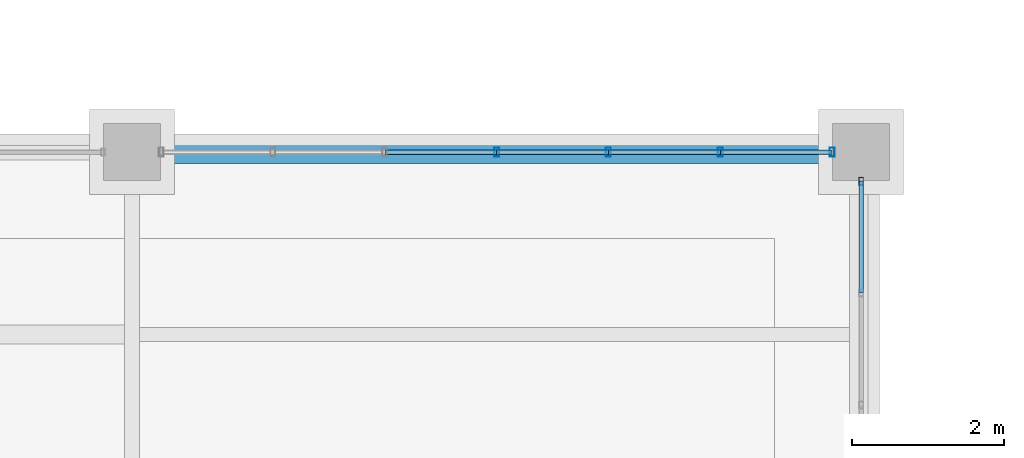
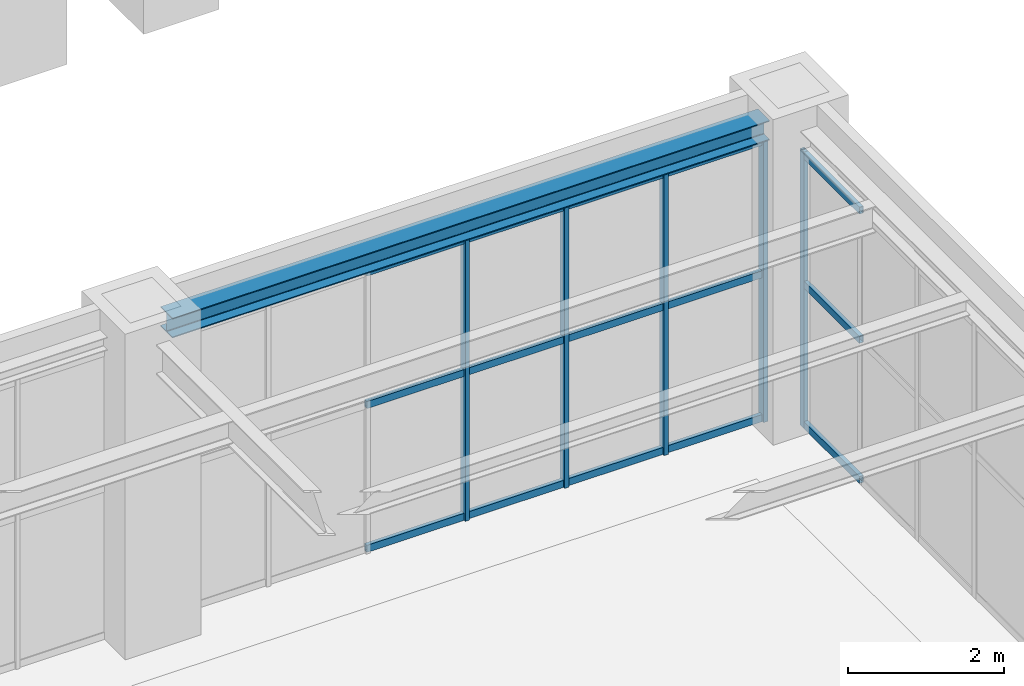
# One storey, part 29 of 174: 20 members, 1 beam, 2 elements without a shape of their own.
"""IFC4 building model written with IfcOpenShell, lengths in metres."""

import ifcopenshell
import ifcopenshell.guid

model = None  # the IFC model being written
_history = None  # IfcOwnerHistory: only IFC2X3 demands one
_inside = {}  # id of a spatial element -> (the spatial element, [elements in it])
_under = {}  # id of a project, library or spatial element -> (it, [spatial elements below it])
_declared = {}  # id of a project -> (the project, [libraries it declares])
_typed = {}  # id of a type object -> (the type object, [elements of that type])
_made_of = {}  # id of a material, layer set ... -> (it, [elements and type objects made of it])


def new_model(schema):
    """Start an empty IFC model of exactly this schema.

    Asked for "IFC4X3", IfcOpenShell would pick the latest addendum, in which some entities
    have other attributes; the version numbers below select the first issue.
    IFC2X3 requires an IfcOwnerHistory on every rooted entity: one is made here for all.
    """
    global model, _history
    if schema == "IFC4X3":
        model = ifcopenshell.file(schema_version=(4, 3, 0, 0))
    else:
        model = ifcopenshell.file(schema=schema)
    _inside.clear()
    _under.clear()
    _declared.clear()
    _typed.clear()
    _made_of.clear()
    _history = None
    if model.schema == "IFC2X3":
        org = make("IfcOrganization", Name="unknown")
        user = make(
            "IfcPersonAndOrganization",
            ThePerson=make("IfcPerson", FamilyName="unknown"),
            TheOrganization=org,
        )
        app = make(
            "IfcApplication",
            ApplicationDeveloper=org,
            Version="unknown",
            ApplicationFullName="unknown",
            ApplicationIdentifier="unknown",
        )
        _history = make(
            "IfcOwnerHistory",
            OwningUser=user,
            OwningApplication=app,
            ChangeAction="ADDED",
            CreationDate=0,
        )
    return model


def make(cls, **values):
    """One entity of the class cls with the attributes given. An attribute that is None is left unset."""
    return model.create_entity(
        cls, **{name: value for name, value in values.items() if value is not None}
    )


def rooted(cls, **values):
    """An entity with a GlobalId (a new one), such as an element, a storey or a relation."""
    return make(cls, GlobalId=ifcopenshell.guid.new(), OwnerHistory=_history, **values)


def si_unit(unit_type, name, prefix=None):
    """IfcSIUnit, for example si_unit("LENGTHUNIT", "METRE", prefix="MILLI")."""
    return make("IfcSIUnit", UnitType=unit_type, Prefix=prefix, Name=name)


def assignment(units):
    """IfcUnitAssignment: the units of a project."""
    return None if units is None else make("IfcUnitAssignment", Units=units)


def point(xyz):
    """IfcCartesianPoint."""
    return None if xyz is None else make("IfcCartesianPoint", Coordinates=xyz)


def direction(xyz):
    """IfcDirection."""
    return None if xyz is None else make("IfcDirection", DirectionRatios=xyz)


def frame(location, z_axis=None, x_axis=None):
    """IfcAxis2Placement3D, a coordinate frame: its origin and axes. An axis left out is left unset."""
    return make(
        "IfcAxis2Placement3D",
        Location=point(location),
        Axis=direction(z_axis),
        RefDirection=direction(x_axis),
    )


def frame_2d(location, x_axis=None):
    """IfcAxis2Placement2D, a coordinate frame in the plane: its origin and x axis."""
    return make(
        "IfcAxis2Placement2D", Location=point(location), RefDirection=direction(x_axis)
    )


def origin():
    """The frame at (0, 0, 0) with its axes left unset."""
    return frame((0.0, 0.0, 0.0))


def origin_2d():
    """The frame at (0, 0) in the plane with its x axis left unset."""
    return frame_2d((0.0, 0.0))


def place(relative_to, where):
    """IfcLocalPlacement: puts the frame where relative to a parent placement (None: the world)."""
    return make(
        "IfcLocalPlacement", PlacementRelTo=relative_to, RelativePlacement=where
    )


def context(
    kind, dimensions, precision=None, world=None, true_north=None, identifier=None
):
    """IfcGeometricRepresentationContext, for example the 3D "Model" context."""
    return make(
        "IfcGeometricRepresentationContext",
        ContextIdentifier=identifier,
        ContextType=kind,
        CoordinateSpaceDimension=dimensions,
        Precision=precision,
        WorldCoordinateSystem=world,
        TrueNorth=true_north,
    )


def subcontext(parent, identifier, kind, view, scale=None):
    """IfcGeometricRepresentationSubContext, for example "Body" below "Model"."""
    return make(
        "IfcGeometricRepresentationSubContext",
        ContextIdentifier=identifier,
        ContextType=kind,
        ParentContext=parent,
        TargetScale=scale,
        TargetView=view,
    )


def project(units=None, contexts=None):
    """IfcProject with its units and contexts."""
    return rooted(
        "IfcProject",
        Name="project",
        RepresentationContexts=contexts,
        UnitsInContext=assignment(units),
    )


def spatial(cls, under=None, at=None, **own):
    """A site, building, storey or space (cls), placed at a placement, below another one or the project."""
    s = rooted(cls, ObjectPlacement=at, **own)
    if under is not None:
        _under.setdefault(under.id(), (under, []))[1].append(s)
    return s


def profile(cls, at=None, kind="AREA", **sizes):
    """A parametric profile (cls). Its sizes go by their IFC names, for example OverallWidth=200.0."""
    return make(cls, ProfileType=kind, Position=at, **sizes)


def hollow_rectangle(**sizes):
    """IfcRectangleHollowProfileDef."""
    return profile("IfcRectangleHollowProfileDef", **sizes)


def i_section(**sizes):
    """IfcIShapeProfileDef."""
    return profile("IfcIShapeProfileDef", **sizes)


def extrude(swept, where, along, depth):
    """IfcExtrudedAreaSolid: the profile swept, set in the frame where, extruded along a direction by depth."""
    return make(
        "IfcExtrudedAreaSolid",
        SweptArea=swept,
        Position=where,
        ExtrudedDirection=direction(along),
        Depth=depth,
    )


def shape(context_of_items, identifier, shape_type, items):
    """IfcShapeRepresentation: the items that make up one representation, for example the "Body"."""
    return make(
        "IfcShapeRepresentation",
        ContextOfItems=context_of_items,
        RepresentationIdentifier=identifier,
        RepresentationType=shape_type,
        Items=items,
    )


def material(Name=None, Category=None):
    """IfcMaterial."""
    return make("IfcMaterial", Name=Name, Category=Category)


def material_profile(
    of_material, cross_section, Name=None, Category=None, Priority=None
):
    """IfcMaterialProfile: a cross section and its material."""
    return make(
        "IfcMaterialProfile",
        Name=Name,
        Material=of_material,
        Profile=cross_section,
        Priority=Priority,
        Category=Category,
    )


def profile_set(profiles, Name=None, composite=None):
    """IfcMaterialProfileSet."""
    return make(
        "IfcMaterialProfileSet",
        Name=Name,
        MaterialProfiles=profiles,
        CompositeProfile=composite,
    )


def made_of(thing, what):
    """Note that an element or type object is made of a material, layer set ...; save() writes the relation."""
    if what is not None:
        _made_of.setdefault(what.id(), (what, []))[1].append(thing)
    return thing


def type_object(cls, material=None, **own):
    """A type object (cls), such as IfcWallType, which elements share."""
    return made_of(rooted(cls, **own), material)


def element(
    cls,
    number,
    at=None,
    inside=None,
    cuts=None,
    type_object=None,
    material=None,
    context=None,
    identifier="Body",
    shape_type=None,
    held_by="IfcProductDefinitionShape",
    body=None,
    shapes=None,
    **own,
):
    """One element of the class cls, such as IfcWall. Its Tag is "e" and its number.

    at: its placement. inside: the storey or other place that contains it. cuts: it is an
    opening in that element (IfcRelVoidsElement). A single representation is given by context,
    identifier, shape_type and body (its items); several are given by shapes. held_by: the class
    of the entity that holds the representations. save() writes the other relations.
    """
    e = rooted(cls, Tag="e%d" % number, ObjectPlacement=at, **own)
    if body is not None:
        shapes = [shape(context, identifier, shape_type, body)]
    if shapes is not None:
        e.Representation = make(held_by, Representations=shapes)
    if inside is not None:
        _inside.setdefault(inside.id(), (inside, []))[1].append(e)
    if cuts is not None:
        rooted(
            "IfcRelVoidsElement", RelatingBuildingElement=cuts, RelatedOpeningElement=e
        )
    if type_object is not None:
        _typed.setdefault(type_object.id(), (type_object, []))[1].append(e)
    return made_of(e, material)


def aggregate(whole, parts):
    """IfcRelAggregates: a whole, such as a stair, and the parts it consists of."""
    return rooted("IfcRelAggregates", RelatingObject=whole, RelatedObjects=parts)


def save(model, path):
    """Write the relations noted so far, then the file.

    IfcRelAggregates (storeys below a building ...), IfcRelContainedInSpatialStructure (elements
    in a storey), IfcRelDefinesByType, IfcRelAssociatesMaterial and IfcRelDeclares: one each for
    every whole, place, type object, material and project.
    """
    for whole, parts in _under.values():
        aggregate(whole, parts)
    for where, things in _inside.values():
        rooted(
            "IfcRelContainedInSpatialStructure",
            RelatedElements=things,
            RelatingStructure=where,
        )
    for kind, things in _typed.values():
        rooted("IfcRelDefinesByType", RelatedObjects=things, RelatingType=kind)
    for what, things in _made_of.values():
        rooted("IfcRelAssociatesMaterial", RelatedObjects=things, RelatingMaterial=what)
    for by, libraries in _declared.values():
        rooted("IfcRelDeclares", RelatingContext=by, RelatedDefinitions=libraries)
    model.write(path)


model = new_model("IFC4")

# Units and contexts
model_context = context("Model", 3, precision=1e-05, world=origin(), true_north=direction((0.0, 1.0)))
body_context = subcontext(model_context, "Body", "Model", "MODEL_VIEW")
ifc_project = project(units=[si_unit("LENGTHUNIT", "METRE"), si_unit("AREAUNIT", "SQUARE_METRE"), si_unit("VOLUMEUNIT", "CUBIC_METRE"), si_unit("PLANEANGLEUNIT", "RADIAN"), si_unit("MASSUNIT", "GRAM", prefix="KILO")], contexts=[model_context])

# Site, building, storey
site_placement = place(None, origin())
site = spatial("IfcSite", under=ifc_project, at=site_placement, CompositionType="ELEMENT")
building_placement = place(site_placement, origin())
building = spatial("IfcBuilding", under=site, at=building_placement, Name="Mavantir Sound Aquarium", CompositionType="ELEMENT")
storey_placement = place(building_placement, frame((0.0, 0.0, 5.39990234375)))
storey = spatial("IfcBuildingStorey", under=building, at=storey_placement, Name="L01", CompositionType="ELEMENT", Elevation=5.39990234375)

# Beam
ifc_material_1 = material(Name="Structural Steel ASTM A992 Gr50", Category="steel")
ifc_material_profile_1 = material_profile(ifc_material_1, i_section(OverallWidth=0.304931640625, OverallDepth=0.30810546875, WebThickness=0.010009765625, FlangeThickness=0.015380859375, FilletRadius=0.014892578125, at=origin_2d()), Name="W310X97")
ifc_profile_set_1 = profile_set([ifc_material_profile_1], Name="Structural Steel ASTM A992 Gr50")
beam_type = type_object("IfcBeamType", Name="BM-W310X97-E", PredefinedType="SPANDREL", material=ifc_profile_set_1)
beam_placement = place(storey_placement, frame((29.175048828125, 28.800048828125, 4.6220703125), z_axis=(1.0, 0.0, 0.0), x_axis=(0.0, 1.0, 0.0)))
element("IfcBeam", 1, at=beam_placement, inside=storey, type_object=beam_type, Name="L01 primary beam SS-31A 1221", PredefinedType="SPANDREL", context=body_context, shape_type="SweptSolid", body=[
    extrude(i_section(OverallWidth=0.304931640625, OverallDepth=0.30810546875, WebThickness=0.010009765625, FlangeThickness=0.015380859375, FilletRadius=0.014892578125, at=origin_2d()), origin(), (0.0, 0.0, 1.0), 8.849853515625),
])

# Curtain wall, member
ifc_material_2 = material(Name="Anodised Marine Aluminium and Low-E Glass", Category="aluminium")
curtain_wall_type_1 = type_object("IfcCurtainWallType", Name="CW-T21", PredefinedType="USERDEFINED", material=ifc_material_2)
curtain_wall_1_placement = place(storey_placement, origin())
curtain_wall_1 = element("IfcCurtainWall", 2, at=curtain_wall_1_placement, inside=storey, type_object=curtain_wall_type_1, Name="L01 unitised curtain wall CW-21 69", ObjectType="UNITISED GLAZING", PredefinedType="USERDEFINED")
ifc_material_3 = material(Name="Anodised Marine Aluminium 6063-T6", Category="aluminium")
ifc_material_profile_2 = material_profile(ifc_material_3, hollow_rectangle(XDim=0.06005859375, YDim=0.10009765625, WallThickness=0.00390625, at=origin_2d()), Name="ALU-MULLION-100X60")
ifc_profile_set_2 = profile_set([ifc_material_profile_2], Name="Anodised Marine Aluminium 6063-T6")
member_type_1 = type_object("IfcMemberType", Name="CW-MUL-100", PredefinedType="MULLION", material=ifc_profile_set_2)
member_1_placement = place(storey_placement, frame((38.39990234375, 28.4169921875, 0.0), z_axis=(0.0, 0.0, 1.0), x_axis=(1.0, 0.0, 0.0)))
member_1 = element("IfcMember", 3, at=member_1_placement, type_object=member_type_1, Name="CW-L01-069 vertical mullion 7", PredefinedType="MULLION", context=body_context, shape_type="SweptSolid", body=[
    extrude(hollow_rectangle(XDim=0.06005859375, YDim=0.10009765625, WallThickness=0.00390625, at=origin_2d()), origin(), (0.0, 0.0, 1.0), 4.3291015625),
])

# Curtain wall, members
curtain_wall_type_2 = type_object("IfcCurtainWallType", Name="CW-T22", PredefinedType="USERDEFINED", material=ifc_material_2)
curtain_wall_2_placement = place(storey_placement, origin())
curtain_wall_2 = element("IfcCurtainWall", 4, at=curtain_wall_2_placement, inside=storey, type_object=curtain_wall_type_2, Name="L01 unitised curtain wall CW-22 70", ObjectType="UNITISED GLAZING", PredefinedType="USERDEFINED")
ifc_material_profile_3 = material_profile(ifc_material_3, hollow_rectangle(XDim=0.06494140625, YDim=0.1201171875, WallThickness=0.00390625, at=origin_2d()), Name="ALU-MULLION-120X65")
ifc_profile_set_3 = profile_set([ifc_material_profile_3], Name="Anodised Marine Aluminium 6063-T6")
member_type_2 = type_object("IfcMemberType", Name="CW-MUL-120", PredefinedType="MULLION", material=ifc_profile_set_3)
member_2_placement = place(storey_placement, frame((38.01708984375, 28.800048828125, 0.0), z_axis=(0.0, 0.0, 1.0), x_axis=(1.0, 0.0, 0.0)))
member_2 = element("IfcMember", 5, at=member_2_placement, type_object=member_type_2, Name="CW-L01-070 vertical mullion 1", PredefinedType="MULLION", context=body_context, shape_type="SweptSolid", body=[
    extrude(hollow_rectangle(XDim=0.06494140625, YDim=0.1201171875, WallThickness=0.00390625, at=origin_2d()), origin(), (0.0, 0.0, 1.0), 4.43798828125),
])
member_3_placement = place(storey_placement, frame((36.544677734375, 28.800048828125, 0.0), z_axis=(0.0, 0.0, 1.0), x_axis=(1.0, 0.0, 0.0)))
member_3 = element("IfcMember", 6, at=member_3_placement, type_object=member_type_2, Name="CW-L01-070 vertical mullion 2", PredefinedType="MULLION", context=body_context, shape_type="SweptSolid", body=[
    extrude(hollow_rectangle(XDim=0.06494140625, YDim=0.1201171875, WallThickness=0.00390625, at=origin_2d()), origin(), (0.0, 0.0, 1.0), 4.43798828125),
])
member_4_placement = place(storey_placement, frame((35.072265625, 28.800048828125, 0.0), z_axis=(0.0, 0.0, 1.0), x_axis=(1.0, 0.0, 0.0)))
member_4 = element("IfcMember", 7, at=member_4_placement, type_object=member_type_2, Name="CW-L01-070 vertical mullion 3", PredefinedType="MULLION", context=body_context, shape_type="SweptSolid", body=[
    extrude(hollow_rectangle(XDim=0.06494140625, YDim=0.1201171875, WallThickness=0.00390625, at=origin_2d()), origin(), (0.0, 0.0, 1.0), 4.43798828125),
])
member_5_placement = place(storey_placement, frame((33.60009765625, 28.800048828125, 0.0), z_axis=(0.0, 0.0, 1.0), x_axis=(1.0, 0.0, 0.0)))
member_5 = element("IfcMember", 8, at=member_5_placement, type_object=member_type_2, Name="CW-L01-070 vertical mullion 4", PredefinedType="MULLION", context=body_context, shape_type="SweptSolid", body=[
    extrude(hollow_rectangle(XDim=0.06494140625, YDim=0.1201171875, WallThickness=0.00390625, at=origin_2d()), origin(), (0.0, 0.0, 1.0), 4.43798828125),
])

# Member
ifc_material_profile_4 = material_profile(ifc_material_3, hollow_rectangle(XDim=0.06005859375, YDim=0.110107421875, WallThickness=0.00390625, at=origin_2d()), Name="ALU-TRANSOM-110X60")
ifc_profile_set_4 = profile_set([ifc_material_profile_4], Name="Anodised Marine Aluminium 6063-T6")
member_type_3 = type_object("IfcMemberType", Name="CW-TRN-110", PredefinedType="USERDEFINED", material=ifc_profile_set_4)
member_6_placement = place(storey_placement, frame((38.39990234375, 26.944580078125, 0.05517578125), z_axis=(0.0, 1.0, 0.0), x_axis=(-1.0, 0.0, 0.0)))
member_6 = element("IfcMember", 9, at=member_6_placement, type_object=member_type_3, Name="CW-L01-069 transom 6.1", ObjectType="TRANSOM", PredefinedType="USERDEFINED", context=body_context, shape_type="SweptSolid", body=[
    extrude(hollow_rectangle(XDim=0.06005859375, YDim=0.110107421875, WallThickness=0.00390625, at=origin_2d()), origin(), (0.0, 0.0, 1.0), 1.472412109375),
])

member_7_placement = place(storey_placement, frame((38.39990234375, 26.944580078125, 2.251220703125), z_axis=(0.0, 1.0, 0.0), x_axis=(-1.0, 0.0, 0.0)))
member_7 = element("IfcMember", 10, at=member_7_placement, type_object=member_type_3, Name="CW-L01-069 transom 6.2", ObjectType="TRANSOM", PredefinedType="USERDEFINED", context=body_context, shape_type="SweptSolid", body=[
    extrude(hollow_rectangle(XDim=0.06005859375, YDim=0.110107421875, WallThickness=0.00390625, at=origin_2d()), origin(), (0.0, 0.0, 1.0), 1.472412109375),
])

member_8_placement = place(storey_placement, frame((38.39990234375, 26.944580078125, 4.274169921875), z_axis=(0.0, 1.0, 0.0), x_axis=(-1.0, 0.0, 0.0)))
member_8 = element("IfcMember", 11, at=member_8_placement, type_object=member_type_3, Name="CW-L01-069 transom 6.3", ObjectType="TRANSOM", PredefinedType="USERDEFINED", context=body_context, shape_type="SweptSolid", body=[
    extrude(hollow_rectangle(XDim=0.06005859375, YDim=0.110107421875, WallThickness=0.00390625, at=origin_2d()), origin(), (0.0, 0.0, 1.0), 1.472412109375),
])

aggregate(curtain_wall_1, [member_1, member_6, member_7, member_8])

member_9_placement = place(storey_placement, frame((38.01708984375, 28.800048828125, 0.05517578125), z_axis=(-1.0, 0.0, 0.0), x_axis=(0.0, -1.0, 0.0)))
member_9 = element("IfcMember", 12, at=member_9_placement, type_object=member_type_3, Name="CW-L01-070 transom 1.1", ObjectType="TRANSOM", PredefinedType="USERDEFINED", context=body_context, shape_type="SweptSolid", body=[
    extrude(hollow_rectangle(XDim=0.06005859375, YDim=0.110107421875, WallThickness=0.00390625, at=origin_2d()), origin(), (0.0, 0.0, 1.0), 1.472412109375),
])

member_10_placement = place(storey_placement, frame((38.01708984375, 28.800048828125, 2.307861328125), z_axis=(-1.0, 0.0, 0.0), x_axis=(0.0, -1.0, 0.0)))
member_10 = element("IfcMember", 13, at=member_10_placement, type_object=member_type_3, Name="CW-L01-070 transom 1.2", ObjectType="TRANSOM", PredefinedType="USERDEFINED", context=body_context, shape_type="SweptSolid", body=[
    extrude(hollow_rectangle(XDim=0.06005859375, YDim=0.110107421875, WallThickness=0.00390625, at=origin_2d()), origin(), (0.0, 0.0, 1.0), 1.472412109375),
])

member_11_placement = place(storey_placement, frame((38.01708984375, 28.800048828125, 4.383056640625), z_axis=(-1.0, 0.0, 0.0), x_axis=(0.0, -1.0, 0.0)))
member_11 = element("IfcMember", 14, at=member_11_placement, type_object=member_type_3, Name="CW-L01-070 transom 1.3", ObjectType="TRANSOM", PredefinedType="USERDEFINED", context=body_context, shape_type="SweptSolid", body=[
    extrude(hollow_rectangle(XDim=0.06005859375, YDim=0.110107421875, WallThickness=0.00390625, at=origin_2d()), origin(), (0.0, 0.0, 1.0), 1.472412109375),
])

member_12_placement = place(storey_placement, frame((36.544677734375, 28.800048828125, 0.05517578125), z_axis=(-1.0, 0.0, 0.0), x_axis=(0.0, -1.0, 0.0)))
member_12 = element("IfcMember", 15, at=member_12_placement, type_object=member_type_3, Name="CW-L01-070 transom 2.1", ObjectType="TRANSOM", PredefinedType="USERDEFINED", context=body_context, shape_type="SweptSolid", body=[
    extrude(hollow_rectangle(XDim=0.06005859375, YDim=0.110107421875, WallThickness=0.00390625, at=origin_2d()), origin(), (0.0, 0.0, 1.0), 1.472412109375),
])

member_13_placement = place(storey_placement, frame((36.544677734375, 28.800048828125, 2.307861328125), z_axis=(-1.0, 0.0, 0.0), x_axis=(0.0, -1.0, 0.0)))
member_13 = element("IfcMember", 16, at=member_13_placement, type_object=member_type_3, Name="CW-L01-070 transom 2.2", ObjectType="TRANSOM", PredefinedType="USERDEFINED", context=body_context, shape_type="SweptSolid", body=[
    extrude(hollow_rectangle(XDim=0.06005859375, YDim=0.110107421875, WallThickness=0.00390625, at=origin_2d()), origin(), (0.0, 0.0, 1.0), 1.472412109375),
])

member_14_placement = place(storey_placement, frame((36.544677734375, 28.800048828125, 4.383056640625), z_axis=(-1.0, 0.0, 0.0), x_axis=(0.0, -1.0, 0.0)))
member_14 = element("IfcMember", 17, at=member_14_placement, type_object=member_type_3, Name="CW-L01-070 transom 2.3", ObjectType="TRANSOM", PredefinedType="USERDEFINED", context=body_context, shape_type="SweptSolid", body=[
    extrude(hollow_rectangle(XDim=0.06005859375, YDim=0.110107421875, WallThickness=0.00390625, at=origin_2d()), origin(), (0.0, 0.0, 1.0), 1.472412109375),
])

member_15_placement = place(storey_placement, frame((35.072265625, 28.800048828125, 0.05517578125), z_axis=(-1.0, 0.0, 0.0), x_axis=(0.0, -1.0, 0.0)))
member_15 = element("IfcMember", 18, at=member_15_placement, type_object=member_type_3, Name="CW-L01-070 transom 3.1", ObjectType="TRANSOM", PredefinedType="USERDEFINED", context=body_context, shape_type="SweptSolid", body=[
    extrude(hollow_rectangle(XDim=0.06005859375, YDim=0.110107421875, WallThickness=0.00390625, at=origin_2d()), origin(), (0.0, 0.0, 1.0), 1.47216796875),
])

member_16_placement = place(storey_placement, frame((35.072265625, 28.800048828125, 2.307861328125), z_axis=(-1.0, 0.0, 0.0), x_axis=(0.0, -1.0, 0.0)))
member_16 = element("IfcMember", 19, at=member_16_placement, type_object=member_type_3, Name="CW-L01-070 transom 3.2", ObjectType="TRANSOM", PredefinedType="USERDEFINED", context=body_context, shape_type="SweptSolid", body=[
    extrude(hollow_rectangle(XDim=0.06005859375, YDim=0.110107421875, WallThickness=0.00390625, at=origin_2d()), origin(), (0.0, 0.0, 1.0), 1.47216796875),
])

member_17_placement = place(storey_placement, frame((35.072265625, 28.800048828125, 4.383056640625), z_axis=(-1.0, 0.0, 0.0), x_axis=(0.0, -1.0, 0.0)))
member_17 = element("IfcMember", 20, at=member_17_placement, type_object=member_type_3, Name="CW-L01-070 transom 3.3", ObjectType="TRANSOM", PredefinedType="USERDEFINED", context=body_context, shape_type="SweptSolid", body=[
    extrude(hollow_rectangle(XDim=0.06005859375, YDim=0.110107421875, WallThickness=0.00390625, at=origin_2d()), origin(), (0.0, 0.0, 1.0), 1.47216796875),
])

member_18_placement = place(storey_placement, frame((33.60009765625, 28.800048828125, 0.05517578125), z_axis=(-1.0, 0.0, 0.0), x_axis=(0.0, -1.0, 0.0)))
member_18 = element("IfcMember", 21, at=member_18_placement, type_object=member_type_3, Name="CW-L01-070 transom 4.1", ObjectType="TRANSOM", PredefinedType="USERDEFINED", context=body_context, shape_type="SweptSolid", body=[
    extrude(hollow_rectangle(XDim=0.06005859375, YDim=0.110107421875, WallThickness=0.00390625, at=origin_2d()), origin(), (0.0, 0.0, 1.0), 1.472412109375),
])

member_19_placement = place(storey_placement, frame((33.60009765625, 28.800048828125, 2.307861328125), z_axis=(-1.0, 0.0, 0.0), x_axis=(0.0, -1.0, 0.0)))
member_19 = element("IfcMember", 22, at=member_19_placement, type_object=member_type_3, Name="CW-L01-070 transom 4.2", ObjectType="TRANSOM", PredefinedType="USERDEFINED", context=body_context, shape_type="SweptSolid", body=[
    extrude(hollow_rectangle(XDim=0.06005859375, YDim=0.110107421875, WallThickness=0.00390625, at=origin_2d()), origin(), (0.0, 0.0, 1.0), 1.472412109375),
])

member_20_placement = place(storey_placement, frame((33.60009765625, 28.800048828125, 4.383056640625), z_axis=(-1.0, 0.0, 0.0), x_axis=(0.0, -1.0, 0.0)))
member_20 = element("IfcMember", 23, at=member_20_placement, type_object=member_type_3, Name="CW-L01-070 transom 4.3", ObjectType="TRANSOM", PredefinedType="USERDEFINED", context=body_context, shape_type="SweptSolid", body=[
    extrude(hollow_rectangle(XDim=0.06005859375, YDim=0.110107421875, WallThickness=0.00390625, at=origin_2d()), origin(), (0.0, 0.0, 1.0), 1.472412109375),
])

aggregate(curtain_wall_2, [member_2, member_3, member_4, member_5, member_9, member_10, member_11, member_12, member_13, member_14, member_15, member_16, member_17, member_18, member_19, member_20])

save(model, "model.ifc")
